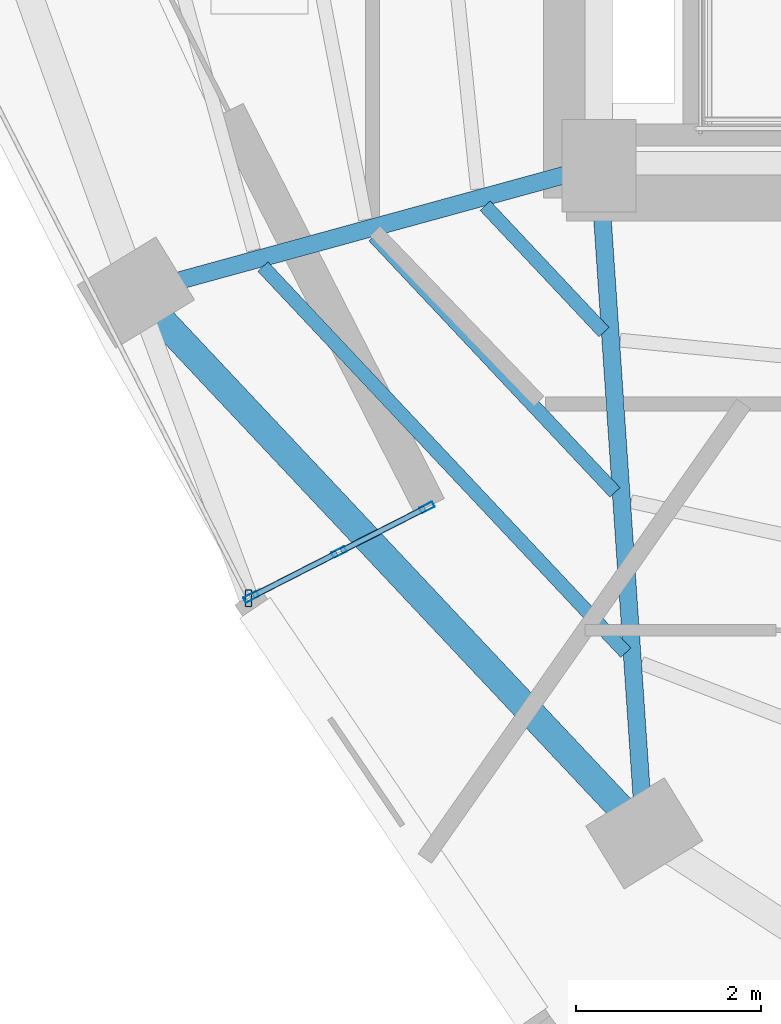
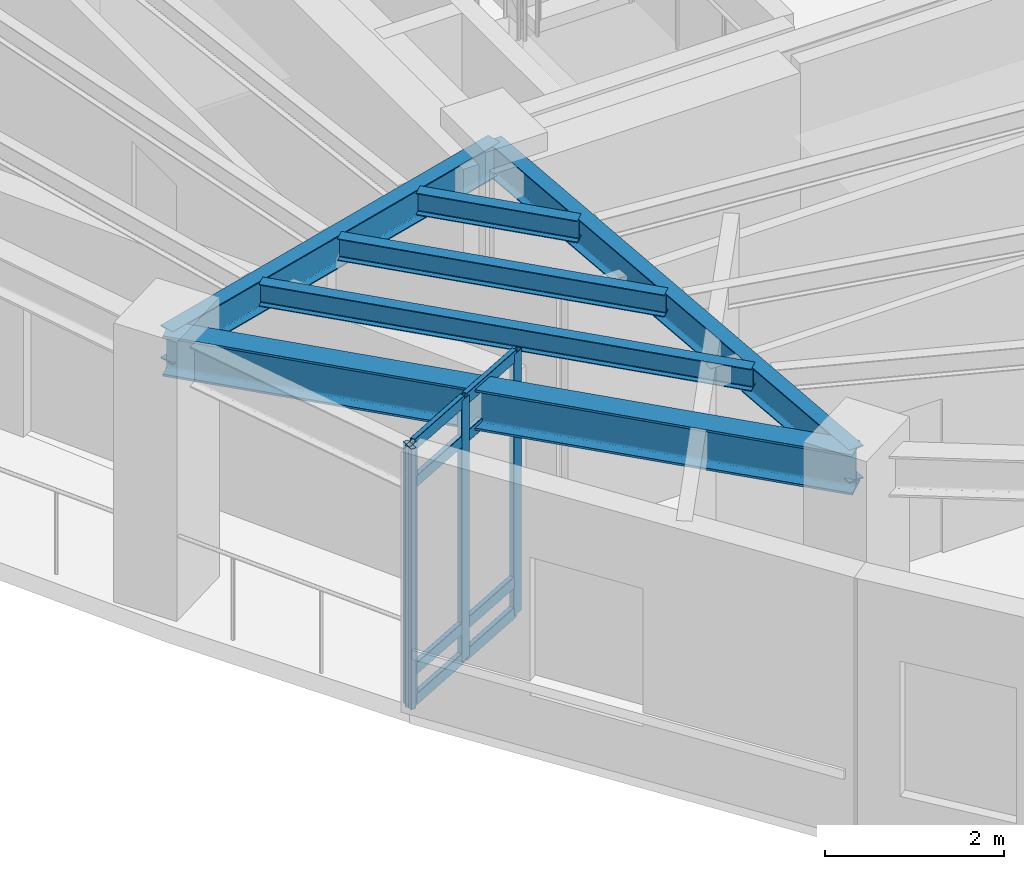
# One storey, part 2 of 12: 12 members, 6 beams, 1 element without a shape of its own.
"""IFC4 building model written with IfcOpenShell, lengths in metres."""

from ifc_helpers import new_model, si_unit, direction, frame, origin, origin_2d, place, context, subcontext, project, spatial, hollow_rectangle, i_section, extrude, material, layer, layer_set, material_profile, profile_set, type_object, element, aggregate, save


model = new_model("IFC4")

# Units and contexts
model_context = context("Model", 3, precision=1e-05, world=origin(), true_north=direction((0.0, 1.0)))
body_context = subcontext(model_context, "Body", "Model", "MODEL_VIEW")
ifc_project = project(units=[si_unit("LENGTHUNIT", "METRE"), si_unit("AREAUNIT", "SQUARE_METRE"), si_unit("VOLUMEUNIT", "CUBIC_METRE"), si_unit("PLANEANGLEUNIT", "RADIAN"), si_unit("MASSUNIT", "GRAM", prefix="KILO")], contexts=[model_context])

# Site, building, storey
site_placement = place(None, origin())
site = spatial("IfcSite", under=ifc_project, at=site_placement, CompositionType="ELEMENT")
building_placement = place(site_placement, origin())
building = spatial("IfcBuilding", under=site, at=building_placement, Name="Ndelora Gate Hotel", CompositionType="ELEMENT")
storey_placement = place(building_placement, frame((0.0, 0.0, 194.14990234375)))
storey = spatial("IfcBuildingStorey", under=building, at=storey_placement, Name="L48", CompositionType="ELEMENT", Elevation=194.14990234375)

# Beams
ifc_material_1 = material(Name="Steel S355", Category="steel")
ifc_material_profile_1 = material_profile(ifc_material_1, i_section(OverallWidth=0.14990234375, OverallDepth=0.300048828125, WebThickness=0.007080078125, FlangeThickness=0.0107421875, FilletRadius=0.014892578125, at=origin_2d()), Name="IPE 300")
ifc_profile_set_1 = profile_set([ifc_material_profile_1], Name="Steel S355")
beam_type_1 = type_object("IfcBeamType", Name="BM-JST-300", PredefinedType="JOIST", material=ifc_profile_set_1)
beam_1_placement = place(storey_placement, frame((-9.231201171875, -7.03369140625, 3.400146484375), z_axis=(0.684943115963, -0.728596546722, 0.0), x_axis=(0.728596546722, 0.684943115963, 0.0)))
element("IfcBeam", 1, at=beam_1_placement, inside=storey, type_object=beam_type_1, Name="L48 Secondary Composite Floor Joist IN-3", PredefinedType="JOIST", context=body_context, shape_type="SweptSolid", body=[
    extrude(i_section(OverallWidth=0.14990234375, OverallDepth=0.300048828125, WebThickness=0.007080078125, FlangeThickness=0.0107421875, FilletRadius=0.014892578125, at=origin_2d()), origin(), (0.0, 0.0, 1.0), 1.879150390625),
])
beam_2_placement = place(storey_placement, frame((-10.43408203125, -7.36328125, 3.400146484375), z_axis=(0.684938600536, -0.728600791584, 0.0), x_axis=(0.728600791584, 0.684938600536, 0.0)))
element("IfcBeam", 2, at=beam_2_placement, inside=storey, type_object=beam_type_1, Name="L48 Secondary Composite Floor Joist MID-3", PredefinedType="JOIST", context=body_context, shape_type="SweptSolid", body=[
    extrude(i_section(OverallWidth=0.14990234375, OverallDepth=0.300048828125, WebThickness=0.007080078125, FlangeThickness=0.0107421875, FilletRadius=0.014892578125, at=origin_2d()), origin(), (0.0, 0.0, 1.0), 3.807861328125),
])
beam_3_placement = place(storey_placement, frame((-11.636962890625, -7.693115234375, 3.400146484375), z_axis=(0.68493576734, -0.728603454986, 0.0), x_axis=(0.728603454986, 0.68493576734, 0.0)))
element("IfcBeam", 3, at=beam_3_placement, inside=storey, type_object=beam_type_1, Name="L48 Secondary Composite Floor Joist OUT-3", PredefinedType="JOIST", context=body_context, shape_type="SweptSolid", body=[
    extrude(i_section(OverallWidth=0.14990234375, OverallDepth=0.300048828125, WebThickness=0.007080078125, FlangeThickness=0.0107421875, FilletRadius=0.014892578125, at=origin_2d()), origin(), (0.0, 0.0, 1.0), 5.736328125),
])
ifc_material_profile_2 = material_profile(ifc_material_1, i_section(OverallWidth=0.18994140625, OverallDepth=0.449951171875, WebThickness=0.009521484375, FlangeThickness=0.0146484375, FilletRadius=0.02099609375, at=origin_2d()), Name="IPE 450")
ifc_profile_set_2 = profile_set([ifc_material_profile_2], Name="Steel S355")
beam_type_2 = type_object("IfcBeamType", Name="BM-RAD-450", PredefinedType="BEAM", material=ifc_profile_set_2)
beam_4_placement = place(storey_placement, frame((-8.0, -6.60009765625, 3.3251953125), z_axis=(-0.96442695542, -0.264349480157, 0.0), x_axis=(0.264349480157, -0.96442695542, 0.0)))
element("IfcBeam", 4, at=beam_4_placement, inside=storey, type_object=beam_type_2, Name="L48 Radial Floor Girder 3", PredefinedType="BEAM", context=body_context, shape_type="SweptSolid", body=[
    extrude(i_section(OverallWidth=0.18994140625, OverallDepth=0.449951171875, WebThickness=0.009521484375, FlangeThickness=0.0146484375, FilletRadius=0.02099609375, at=origin_2d()), origin(), (0.0, 0.0, 1.0), 5.19677734375),
])
beam_5_placement = place(storey_placement, frame((-8.0, -6.60009765625, 3.3251953125), z_axis=(0.067867612113, -0.997694335569, 0.0), x_axis=(0.997694335569, 0.067867612113, 0.0)))
element("IfcBeam", 5, at=beam_5_placement, inside=storey, type_object=beam_type_2, Name="L48 Radial Floor Girder 4", PredefinedType="BEAM", context=body_context, shape_type="SweptSolid", body=[
    extrude(i_section(OverallWidth=0.18994140625, OverallDepth=0.449951171875, WebThickness=0.009521484375, FlangeThickness=0.0146484375, FilletRadius=0.02099609375, at=origin_2d()), origin(), (0.0, 0.0, 1.0), 7.244873046875),
])
ifc_material_profile_3 = material_profile(ifc_material_1, i_section(OverallWidth=0.300048828125, OverallDepth=0.550048828125, WebThickness=0.014892578125, FlangeThickness=0.029052734375, FilletRadius=0.027099609375, at=origin_2d()), Name="HEB 550")
ifc_profile_set_3 = profile_set([ifc_material_profile_3], Name="Steel S355")
beam_type_3 = type_object("IfcBeamType", Name="BM-RING-550", PredefinedType="SPANDREL", material=ifc_profile_set_3)
beam_6_placement = place(storey_placement, frame((-13.011962890625, -7.973876953125, 3.275146484375), z_axis=(0.684939043371, -0.728600375285, 0.0), x_axis=(0.728600375285, 0.684939043371, 0.0)))
element("IfcBeam", 6, at=beam_6_placement, inside=storey, type_object=beam_type_3, Name="L48 Perimeter Spandrel Girder 3", PredefinedType="SPANDREL", context=body_context, shape_type="SweptSolid", body=[
    extrude(i_section(OverallWidth=0.300048828125, OverallDepth=0.550048828125, WebThickness=0.014892578125, FlangeThickness=0.029052734375, FilletRadius=0.027099609375, at=origin_2d()), origin(), (0.0, 0.0, 1.0), 8.03515625),
])

# Curtain wall, members
ifc_material_2 = material(Name="Bronze Anodised Unitised Aluminium and Low-E Glass", Category="aluminium")
ifc_layer = layer(ifc_material_2, 0.199951171875)
ifc_layer_set = layer_set([ifc_layer], Name="Bronze Anodised Unitised Aluminium and Low-E Glass")
curtain_wall_type = type_object("IfcCurtainWallType", Name="CW-SYS-3", PredefinedType="NOTDEFINED", material=ifc_layer_set)
curtain_wall_placement = place(storey_placement, origin())
curtain_wall = element("IfcCurtainWall", 7, at=curtain_wall_placement, inside=storey, type_object=curtain_wall_type, Name="L48 Sky-Garden Loggia Side Curtain Wall CW3-2", PredefinedType="NOTDEFINED")
ifc_material_3 = material(Name="Bronze Anodised Aluminium 6063-T6", Category="aluminium")
ifc_material_profile_4 = material_profile(ifc_material_3, hollow_rectangle(XDim=0.06494140625, YDim=0.159912109375, WallThickness=0.00390625, InnerFilletRadius=0.00390625, OuterFilletRadius=0.008056640625, at=origin_2d()), Name="ALU 160x65x4")
ifc_profile_set_4 = profile_set([ifc_material_profile_4], Name="Bronze Anodised Aluminium 6063-T6")
member_type_1 = type_object("IfcMemberType", Name="MB-CW-MUL150", PredefinedType="MULLION", material=ifc_profile_set_4)
member_1_placement = place(storey_placement, frame((-11.763671875, -11.268798828125, -0.00390625), z_axis=(0.0, 0.0, 1.0), x_axis=(-0.454000680995, 0.891001336507, 0.0)))
member_1 = element("IfcMember", 8, at=member_1_placement, type_object=member_type_1, Name="CW3 mullion 1", PredefinedType="MULLION", context=body_context, shape_type="SweptSolid", body=[
    extrude(hollow_rectangle(XDim=0.06494140625, YDim=0.159912109375, WallThickness=0.00390625, InnerFilletRadius=0.00390625, OuterFilletRadius=0.008056640625, at=origin_2d()), origin(), (0.0, 0.0, 1.0), 3.55810546875),
])
member_2_placement = place(storey_placement, frame((-10.8125, -10.7841796875, -0.00390625), z_axis=(0.0, 0.0, 1.0), x_axis=(-0.454000680995, 0.891001336507, 0.0)))
member_2 = element("IfcMember", 9, at=member_2_placement, type_object=member_type_1, Name="CW3 mullion 2", PredefinedType="MULLION", context=body_context, shape_type="SweptSolid", body=[
    extrude(hollow_rectangle(XDim=0.06494140625, YDim=0.159912109375, WallThickness=0.00390625, InnerFilletRadius=0.00390625, OuterFilletRadius=0.008056640625, at=origin_2d()), origin(), (0.0, 0.0, 1.0), 3.55810546875),
])
member_3_placement = place(storey_placement, frame((-9.861328125, -10.299560546875, -0.00390625), z_axis=(0.0, 0.0, 1.0), x_axis=(-0.454000680995, 0.891001336507, 0.0)))
member_3 = element("IfcMember", 10, at=member_3_placement, type_object=member_type_1, Name="CW3 mullion 3", PredefinedType="MULLION", context=body_context, shape_type="SweptSolid", body=[
    extrude(hollow_rectangle(XDim=0.06494140625, YDim=0.159912109375, WallThickness=0.00390625, InnerFilletRadius=0.00390625, OuterFilletRadius=0.008056640625, at=origin_2d()), origin(), (0.0, 0.0, 1.0), 3.55810546875),
])
ifc_material_profile_5 = material_profile(ifc_material_3, hollow_rectangle(XDim=0.070068359375, YDim=0.179931640625, WallThickness=0.0048828125, InnerFilletRadius=0.0048828125, OuterFilletRadius=0.010009765625, at=origin_2d()), Name="ALU 180x70x5")
ifc_profile_set_5 = profile_set([ifc_material_profile_5], Name="Bronze Anodised Aluminium 6063-T6")
member_type_2 = type_object("IfcMemberType", Name="MB-CW-MUL180", PredefinedType="MULLION", material=ifc_profile_set_5)
member_4_placement = place(storey_placement, frame((-11.79248046875, -11.28369140625, 0.0), z_axis=(0.0, 0.0, 1.0), x_axis=(1.0, 0.0, 0.0)))
member_4 = element("IfcMember", 11, at=member_4_placement, type_object=member_type_2, Name="L48 Sky-Garden Loggia Corner Mullion Post 2", PredefinedType="MULLION", context=body_context, shape_type="SweptSolid", body=[
    extrude(hollow_rectangle(XDim=0.070068359375, YDim=0.179931640625, WallThickness=0.0048828125, InnerFilletRadius=0.0048828125, OuterFilletRadius=0.010009765625, at=origin_2d()), origin(), (0.0, 0.0, 1.0), 3.550048828125),
])
ifc_material_profile_6 = material_profile(ifc_material_3, hollow_rectangle(XDim=0.06494140625, YDim=0.159912109375, WallThickness=0.00390625, InnerFilletRadius=0.00390625, OuterFilletRadius=0.008056640625, at=origin_2d()), Name="ALU 160x65x4")
ifc_profile_set_6 = profile_set([ifc_material_profile_6], Name="Bronze Anodised Aluminium 6063-T6")
member_type_3 = type_object("IfcMemberType", Name="MB-CW-TRN150", PredefinedType="USERDEFINED", material=ifc_profile_set_6)
member_5_placement = place(storey_placement, frame((-11.739990234375, -11.2568359375, 0.03271484375), z_axis=(0.890934786756, 0.454131264886, 0.0), x_axis=(-0.454131264886, 0.890934786756, 0.0)))
member_5 = element("IfcMember", 12, at=member_5_placement, type_object=member_type_3, Name="CW3 transom 1.1", ObjectType="TRANSOM", PredefinedType="USERDEFINED", context=body_context, shape_type="SweptSolid", body=[
    extrude(hollow_rectangle(XDim=0.06494140625, YDim=0.159912109375, WallThickness=0.00390625, InnerFilletRadius=0.00390625, OuterFilletRadius=0.008056640625, at=origin_2d()), origin(), (0.0, 0.0, 1.0), 1.014404296875),
])
member_6_placement = place(storey_placement, frame((-11.739990234375, -11.2568359375, 0.4501953125), z_axis=(0.890934786756, 0.454131264886, 0.0), x_axis=(-0.454131264886, 0.890934786756, 0.0)))
member_6 = element("IfcMember", 13, at=member_6_placement, type_object=member_type_3, Name="CW3 transom 1.2", ObjectType="TRANSOM", PredefinedType="USERDEFINED", context=body_context, shape_type="SweptSolid", body=[
    extrude(hollow_rectangle(XDim=0.06494140625, YDim=0.159912109375, WallThickness=0.00390625, InnerFilletRadius=0.00390625, OuterFilletRadius=0.008056640625, at=origin_2d()), origin(), (0.0, 0.0, 1.0), 1.014404296875),
])
member_7_placement = place(storey_placement, frame((-11.739990234375, -11.2568359375, 3.0), z_axis=(0.890934786756, 0.454131264886, 0.0), x_axis=(-0.454131264886, 0.890934786756, 0.0)))
member_7 = element("IfcMember", 14, at=member_7_placement, type_object=member_type_3, Name="CW3 transom 1.3", ObjectType="TRANSOM", PredefinedType="USERDEFINED", context=body_context, shape_type="SweptSolid", body=[
    extrude(hollow_rectangle(XDim=0.06494140625, YDim=0.159912109375, WallThickness=0.00390625, InnerFilletRadius=0.00390625, OuterFilletRadius=0.008056640625, at=origin_2d()), origin(), (0.0, 0.0, 1.0), 1.014404296875),
])
member_8_placement = place(storey_placement, frame((-11.739990234375, -11.2568359375, 3.517578125), z_axis=(0.890934786756, 0.454131264886, 0.0), x_axis=(-0.454131264886, 0.890934786756, 0.0)))
member_8 = element("IfcMember", 15, at=member_8_placement, type_object=member_type_3, Name="CW3 transom 1.4", ObjectType="TRANSOM", PredefinedType="USERDEFINED", context=body_context, shape_type="SweptSolid", body=[
    extrude(hollow_rectangle(XDim=0.06494140625, YDim=0.159912109375, WallThickness=0.00390625, InnerFilletRadius=0.00390625, OuterFilletRadius=0.008056640625, at=origin_2d()), origin(), (0.0, 0.0, 1.0), 1.014404296875),
])
member_9_placement = place(storey_placement, frame((-10.788818359375, -10.772216796875, 0.03271484375), z_axis=(0.890934786756, 0.454131264886, 0.0), x_axis=(-0.454131264886, 0.890934786756, 0.0)))
member_9 = element("IfcMember", 16, at=member_9_placement, type_object=member_type_3, Name="CW3 transom 2.1", ObjectType="TRANSOM", PredefinedType="USERDEFINED", context=body_context, shape_type="SweptSolid", body=[
    extrude(hollow_rectangle(XDim=0.06494140625, YDim=0.159912109375, WallThickness=0.00390625, InnerFilletRadius=0.00390625, OuterFilletRadius=0.008056640625, at=origin_2d()), origin(), (0.0, 0.0, 1.0), 1.014404296875),
])
member_10_placement = place(storey_placement, frame((-10.788818359375, -10.772216796875, 0.4501953125), z_axis=(0.890934786756, 0.454131264886, 0.0), x_axis=(-0.454131264886, 0.890934786756, 0.0)))
member_10 = element("IfcMember", 17, at=member_10_placement, type_object=member_type_3, Name="CW3 transom 2.2", ObjectType="TRANSOM", PredefinedType="USERDEFINED", context=body_context, shape_type="SweptSolid", body=[
    extrude(hollow_rectangle(XDim=0.06494140625, YDim=0.159912109375, WallThickness=0.00390625, InnerFilletRadius=0.00390625, OuterFilletRadius=0.008056640625, at=origin_2d()), origin(), (0.0, 0.0, 1.0), 1.014404296875),
])
member_11_placement = place(storey_placement, frame((-10.788818359375, -10.772216796875, 3.0), z_axis=(0.890934786756, 0.454131264886, 0.0), x_axis=(-0.454131264886, 0.890934786756, 0.0)))
member_11 = element("IfcMember", 18, at=member_11_placement, type_object=member_type_3, Name="CW3 transom 2.3", ObjectType="TRANSOM", PredefinedType="USERDEFINED", context=body_context, shape_type="SweptSolid", body=[
    extrude(hollow_rectangle(XDim=0.06494140625, YDim=0.159912109375, WallThickness=0.00390625, InnerFilletRadius=0.00390625, OuterFilletRadius=0.008056640625, at=origin_2d()), origin(), (0.0, 0.0, 1.0), 1.014404296875),
])
member_12_placement = place(storey_placement, frame((-10.788818359375, -10.772216796875, 3.517578125), z_axis=(0.890934786756, 0.454131264886, 0.0), x_axis=(-0.454131264886, 0.890934786756, 0.0)))
member_12 = element("IfcMember", 19, at=member_12_placement, type_object=member_type_3, Name="CW3 transom 2.4", ObjectType="TRANSOM", PredefinedType="USERDEFINED", context=body_context, shape_type="SweptSolid", body=[
    extrude(hollow_rectangle(XDim=0.06494140625, YDim=0.159912109375, WallThickness=0.00390625, InnerFilletRadius=0.00390625, OuterFilletRadius=0.008056640625, at=origin_2d()), origin(), (0.0, 0.0, 1.0), 1.014404296875),
])
aggregate(curtain_wall, [member_1, member_2, member_3, member_5, member_6, member_7, member_8, member_9, member_10, member_11, member_12, member_4])

save(model, "model.ifc")
